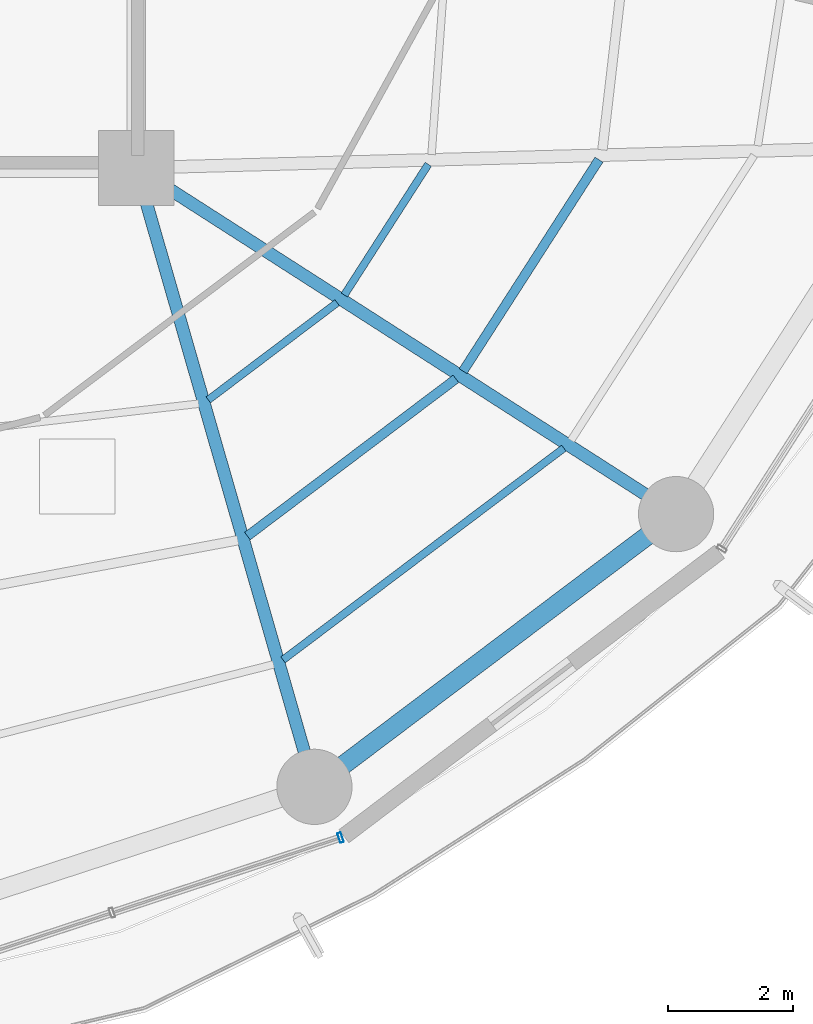
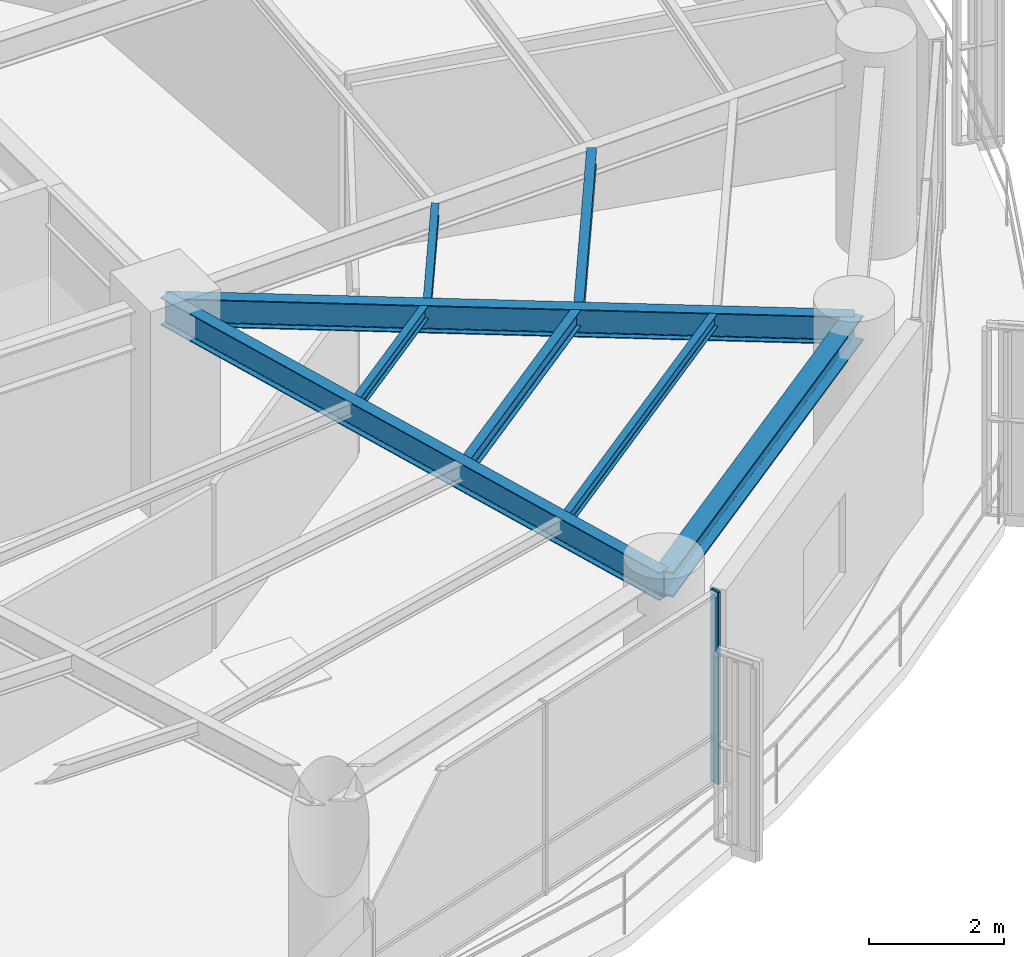
# One storey, part 10 of 27: 8 beams, 1 member, 1 element without a shape of its own.
"""IFC4 building model written with IfcOpenShell, lengths in metres."""

from ifc_helpers import new_model, si_unit, direction, frame, origin, origin_2d, place, context, subcontext, project, spatial, hollow_rectangle, i_section, extrude, material, layer, layer_set, material_profile, profile_set, type_object, element, aggregate, save


model = new_model("IFC4")

# Units and contexts
model_context = context("Model", 3, precision=1e-05, world=origin(), true_north=direction((0.0, 1.0)))
body_context = subcontext(model_context, "Body", "Model", "MODEL_VIEW")
ifc_project = project(units=[si_unit("LENGTHUNIT", "METRE"), si_unit("AREAUNIT", "SQUARE_METRE"), si_unit("VOLUMEUNIT", "CUBIC_METRE"), si_unit("PLANEANGLEUNIT", "RADIAN"), si_unit("MASSUNIT", "GRAM", prefix="KILO")], contexts=[model_context])

# Site, building, storey
site_placement = place(None, origin())
site = spatial("IfcSite", under=ifc_project, at=site_placement, CompositionType="ELEMENT")
building_placement = place(site_placement, origin())
building = spatial("IfcBuilding", under=site, at=building_placement, Name="Kelanora Arch Commons", CompositionType="ELEMENT")
storey_placement = place(building_placement, frame((0.0, 0.0, 146.85009765625)))
storey = spatial("IfcBuildingStorey", under=building, at=storey_placement, Name="L37", CompositionType="ELEMENT", Elevation=146.85009765625)

# Beams
ifc_material_1 = material(Name="Steel S355", Category="steel")
ifc_material_profile_1 = material_profile(ifc_material_1, i_section(OverallWidth=0.14990234375, OverallDepth=0.300048828125, WebThickness=0.007080078125, FlangeThickness=0.0107421875, FilletRadius=0.014892578125, at=origin_2d()), Name="IPE300")
ifc_profile_set_1 = profile_set([ifc_material_profile_1], Name="Steel S355")
beam_type_1 = type_object("IfcBeamType", Name="BM-JST-01", PredefinedType="JOIST", material=ifc_profile_set_1)
beam_1_placement = place(storey_placement, frame((83.77197265625, 45.129150390625, 3.33984375), z_axis=(0.798463547891, 0.602043156833, 0.0), x_axis=(-0.602043156833, 0.798463547891, 0.0)))
element("IfcBeam", 1, at=beam_1_placement, inside=storey, type_object=beam_type_1, Name="Secondary Chord Joist BJB-30 L37", PredefinedType="JOIST", context=body_context, shape_type="SweptSolid", body=[
    extrude(i_section(OverallWidth=0.14990234375, OverallDepth=0.300048828125, WebThickness=0.007080078125, FlangeThickness=0.0107421875, FilletRadius=0.014892578125, at=origin_2d()), origin(), (0.0, 0.0, 1.0), 4.163818359375),
])
beam_2_placement = place(storey_placement, frame((87.210693359375, 47.758544921875, 3.33984375), z_axis=(0.540594434398, 0.841283339606, 0.0), x_axis=(-0.841283339606, 0.540594434398, 0.0)))
element("IfcBeam", 2, at=beam_2_placement, inside=storey, type_object=beam_type_1, Name="Secondary Chord Joist BJB-32 L37", PredefinedType="JOIST", context=body_context, shape_type="SweptSolid", body=[
    extrude(i_section(OverallWidth=0.14990234375, OverallDepth=0.300048828125, WebThickness=0.007080078125, FlangeThickness=0.0107421875, FilletRadius=0.014892578125, at=origin_2d()), origin(), (0.0, 0.0, 1.0), 4.008544921875),
])
ifc_material_profile_2 = material_profile(ifc_material_1, i_section(OverallWidth=0.1201171875, OverallDepth=0.239990234375, WebThickness=0.006103515625, FlangeThickness=0.009765625, FilletRadius=0.014892578125, at=origin_2d()), Name="IPE240")
ifc_profile_set_2 = profile_set([ifc_material_profile_2], Name="Steel S355")
beam_type_2 = type_object("IfcBeamType", Name="BM-JST-02", PredefinedType="JOIST", material=ifc_profile_set_2)
beam_3_placement = place(storey_placement, frame((83.147216796875, 47.300537109375, 3.369873046875), z_axis=(0.798484118859, 0.602015873487, 0.0), x_axis=(-0.602015873487, 0.798484118859, 0.0)))
element("IfcBeam", 3, at=beam_3_placement, inside=storey, type_object=beam_type_2, Name="Secondary Chord Joist BJA-30 L37", PredefinedType="JOIST", context=body_context, shape_type="SweptSolid", body=[
    extrude(i_section(OverallWidth=0.1201171875, OverallDepth=0.239990234375, WebThickness=0.006103515625, FlangeThickness=0.009765625, FilletRadius=0.014892578125, at=origin_2d()), origin(), (0.0, 0.0, 1.0), 2.57470703125),
])
beam_4_placement = place(storey_placement, frame((84.33984375, 43.155029296875, 3.369873046875), z_axis=(0.798493128577, 0.602003923256, 0.0), x_axis=(-0.602003923256, 0.798493128577, 0.0)))
element("IfcBeam", 4, at=beam_4_placement, inside=storey, type_object=beam_type_2, Name="Secondary Chord Joist BJC-30 L37", PredefinedType="JOIST", context=body_context, shape_type="SweptSolid", body=[
    extrude(i_section(OverallWidth=0.1201171875, OverallDepth=0.239990234375, WebThickness=0.006103515625, FlangeThickness=0.009765625, FilletRadius=0.014892578125, at=origin_2d()), origin(), (0.0, 0.0, 1.0), 5.608642578125),
])
beam_5_placement = place(storey_placement, frame((85.31689453125, 48.973388671875, 3.369873046875), z_axis=(0.540583174025, 0.841290575224, 0.0), x_axis=(-0.841290575224, 0.540583174025, 0.0)))
element("IfcBeam", 5, at=beam_5_placement, inside=storey, type_object=beam_type_2, Name="Secondary Chord Joist BJA-32 L37", PredefinedType="JOIST", context=body_context, shape_type="SweptSolid", body=[
    extrude(i_section(OverallWidth=0.1201171875, OverallDepth=0.239990234375, WebThickness=0.006103515625, FlangeThickness=0.009765625, FilletRadius=0.014892578125, at=origin_2d()), origin(), (0.0, 0.0, 1.0), 2.476318359375),
])
ifc_material_profile_3 = material_profile(ifc_material_1, i_section(OverallWidth=0.199951171875, OverallDepth=0.5, WebThickness=0.01025390625, FlangeThickness=0.01611328125, FilletRadius=0.02099609375, at=origin_2d()), Name="IPE500")
ifc_profile_set_3 = profile_set([ifc_material_profile_3], Name="Steel S355")
beam_type_3 = type_object("IfcBeamType", Name="BM-RAD-Z3", PredefinedType="BEAM", material=ifc_profile_set_3)
beam_6_placement = place(storey_placement, frame((82.0, 51.0, 3.239990234375), z_axis=(0.276525880065, -0.961006471182, 0.0), x_axis=(0.961006471182, 0.276525880065, 0.0)))
element("IfcBeam", 6, at=beam_6_placement, inside=storey, type_object=beam_type_3, Name="Radial Floor Girder BR-30 L37", PredefinedType="BEAM", context=body_context, shape_type="SweptSolid", body=[
    extrude(i_section(OverallWidth=0.199951171875, OverallDepth=0.5, WebThickness=0.01025390625, FlangeThickness=0.01611328125, FilletRadius=0.02099609375, at=origin_2d()), origin(), (0.0, 0.0, 1.0), 10.2705078125),
])
beam_7_placement = place(storey_placement, frame((82.0, 51.0, 3.239990234375), z_axis=(0.841719465748, -0.539915123868, 0.0), x_axis=(0.539915123868, 0.841719465748, 0.0)))
element("IfcBeam", 7, at=beam_7_placement, inside=storey, type_object=beam_type_3, Name="Radial Floor Girder BR-32 L37", PredefinedType="BEAM", context=body_context, shape_type="SweptSolid", body=[
    extrude(i_section(OverallWidth=0.199951171875, OverallDepth=0.5, WebThickness=0.01025390625, FlangeThickness=0.01611328125, FilletRadius=0.02099609375, at=origin_2d()), origin(), (0.0, 0.0, 1.0), 10.2265625),
])
ifc_material_profile_4 = material_profile(ifc_material_1, i_section(OverallWidth=0.300048828125, OverallDepth=0.449951171875, WebThickness=0.013916015625, FlangeThickness=0.02587890625, FilletRadius=0.027099609375, at=origin_2d()), Name="HEB450")
ifc_profile_set_4 = profile_set([ifc_material_profile_4], Name="Steel S355")
beam_type_4 = type_object("IfcBeamType", Name="BM-SPN-Z3", PredefinedType="SPANDREL", material=ifc_profile_set_4)
beam_8_placement = place(storey_placement, frame((84.840087890625, 41.1298828125, 3.264892578125), z_axis=(0.798484645564, 0.60201517489, 0.0), x_axis=(-0.60201517489, 0.798484645564, 0.0)))
element("IfcBeam", 8, at=beam_8_placement, inside=storey, type_object=beam_type_4, Name="Perimeter Spandrel Beam BS-30 L37", PredefinedType="SPANDREL", context=body_context, shape_type="SweptSolid", body=[
    extrude(i_section(OverallWidth=0.300048828125, OverallDepth=0.449951171875, WebThickness=0.013916015625, FlangeThickness=0.02587890625, FilletRadius=0.027099609375, at=origin_2d()), origin(), (0.0, 0.0, 1.0), 7.223388671875),
])

# Curtain wall, member
ifc_material_2 = material(Name="Terracotta ceramic-fritted low-E glass and aluminium", Category="masonry")
ifc_layer = layer(ifc_material_2, 0.175048828125)
ifc_layer_set = layer_set([ifc_layer], Name="Terracotta ceramic-fritted low-E glass and aluminium")
curtain_wall_type = type_object("IfcCurtainWallType", Name="CW-SYS-02", PredefinedType="NOTDEFINED", material=ifc_layer_set)
curtain_wall_placement = place(storey_placement, origin())
curtain_wall = element("IfcCurtainWall", 9, at=curtain_wall_placement, inside=storey, type_object=curtain_wall_type, Name="Unitised Curtain Wall L37-B14", PredefinedType="NOTDEFINED")
ifc_material_3 = material(Name="Powder-coated aluminium terracotta", Category="masonry")
ifc_material_profile_5 = material_profile(ifc_material_3, hollow_rectangle(XDim=0.159912109375, YDim=0.06005859375, WallThickness=0.0048828125, InnerFilletRadius=0.0048828125, OuterFilletRadius=0.010009765625, at=origin_2d()), Name="CWM160x60")
ifc_profile_set_5 = profile_set([ifc_material_profile_5], Name="Powder-coated aluminium terracotta")
member_type = type_object("IfcMemberType", Name="CWM-STD", PredefinedType="MULLION", material=ifc_profile_set_5)
member_placement = place(storey_placement, frame((85.257080078125, 40.319091796875, 0.0), z_axis=(0.0, 0.0, 1.0), x_axis=(-0.312128279571, 0.95003996605, 0.0)))
member = element("IfcMember", 10, at=member_placement, type_object=member_type, Name="CW-02 mullion 3", PredefinedType="MULLION", context=body_context, shape_type="SweptSolid", body=[
    extrude(hollow_rectangle(XDim=0.159912109375, YDim=0.06005859375, WallThickness=0.0048828125, InnerFilletRadius=0.0048828125, OuterFilletRadius=0.010009765625, at=origin_2d()), origin(), (0.0, 0.0, 1.0), 3.474853515625),
])
aggregate(curtain_wall, [member])

save(model, "model.ifc")
